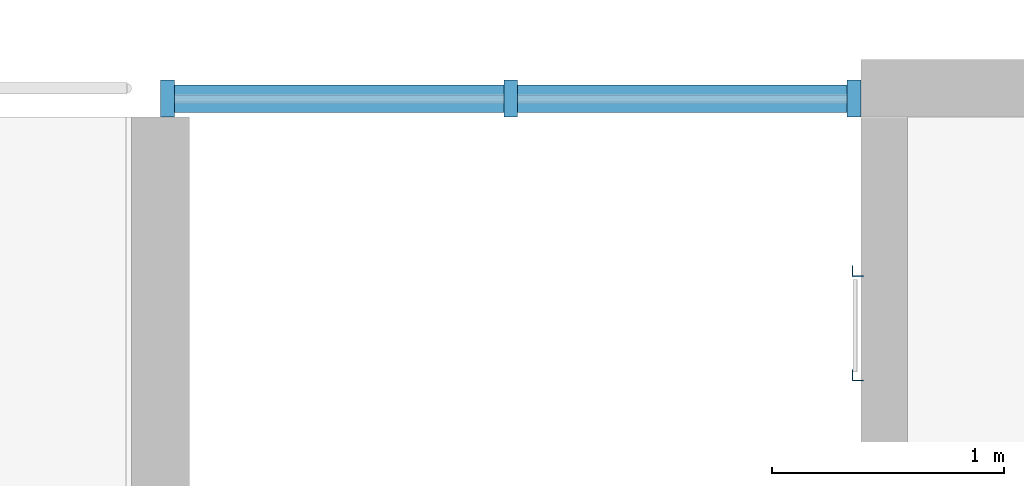
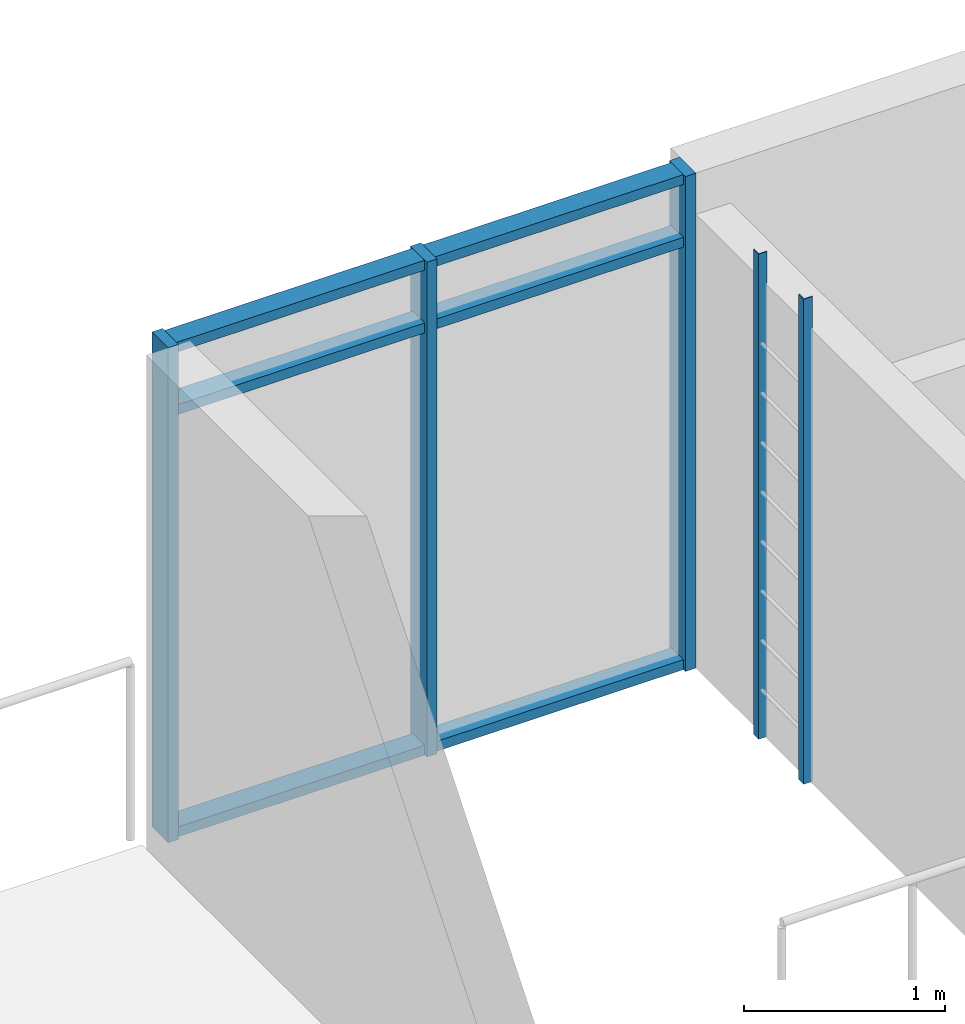
# One storey, part 11 of 94: 11 members, 1 element without a shape of its own.
"""IFC4 building model written with IfcOpenShell, lengths in metres."""

from ifc_helpers import new_model, si_unit, direction, frame, origin, origin_2d, place, context, subcontext, project, spatial, polyline, rectangle, outline, extrude, material, material_profile, profile_set, type_object, element, aggregate, save


model = new_model("IFC4")

# Units and contexts
model_context = context("Model", 3, precision=1e-05, world=origin(), true_north=direction((0.0, 1.0)))
body_context = subcontext(model_context, "Body", "Model", "MODEL_VIEW")
ifc_project = project(units=[si_unit("LENGTHUNIT", "METRE"), si_unit("AREAUNIT", "SQUARE_METRE"), si_unit("VOLUMEUNIT", "CUBIC_METRE"), si_unit("PLANEANGLEUNIT", "RADIAN"), si_unit("MASSUNIT", "GRAM", prefix="KILO")], contexts=[model_context])

# Site, building, storey
site_placement = place(None, origin())
site = spatial("IfcSite", under=ifc_project, at=site_placement, CompositionType="ELEMENT")
building_placement = place(site_placement, origin())
building = spatial("IfcBuilding", under=site, at=building_placement, Name="Ridgestep Commons", CompositionType="ELEMENT")
storey_placement = place(building_placement, frame((0.0, 0.0, 24.0)))
storey = spatial("IfcBuildingStorey", under=building, at=storey_placement, Name="L08", CompositionType="ELEMENT", Elevation=24.0)

# Members
ifc_material_1 = material(Name="Structural steel S355JR", Category="steel")
ifc_material_profile_1 = material_profile(ifc_material_1, outline(polyline([(-0.014404296875, -0.014404296875), (0.03564453125, -0.014404296875), (0.03564453125, -0.00927734375), (-0.00927734375, -0.00927734375), (-0.00927734375, 0.03564453125), (-0.014404296875, 0.03564453125), (-0.014404296875, -0.014404296875)])), Name="EA 50x50x5")
ifc_profile_set_1 = profile_set([ifc_material_profile_1], Name="Structural steel S355JR")
member_type_1 = type_object("IfcMemberType", Name="Core ladder stile EA 50x50x5", PredefinedType="STRINGER", material=ifc_profile_set_1)
for number, where, z_axis, x_axis, name in (
    (1, (25.800048828125, 75.875, 0.0), (0.0, 0.0, 1.0), (1.0, 0.0, 0.0), "Ladder stile B1C.1"),
    (2, (25.800048828125, 76.324951171875, 0.0), (0.0, 0.0, 1.0), (1.0, 0.0, 0.0), "Ladder stile B1C.2"),
):
    element("IfcMember", number, at=place(storey_placement, frame(where, z_axis=z_axis, x_axis=x_axis)), inside=storey, type_object=member_type_1, Name=name, PredefinedType="STRINGER", context=body_context, shape_type="SweptSolid", body=[
        extrude(outline(polyline([(-0.014404296875, -0.014404296875), (0.03564453125, -0.014404296875), (0.03564453125, -0.00927734375), (-0.00927734375, -0.00927734375), (-0.00927734375, 0.03564453125), (-0.014404296875, 0.03564453125), (-0.014404296875, -0.014404296875)])), origin(), (0.0, 0.0, 1.0), 2.93994140625),
    ])

# Curtain wall, members
ifc_material_2 = material(Name="Aluminium 6063-T6 and glass", Category="aluminium")
curtain_wall_type = type_object("IfcCurtainWallType", Name="Curtain wall stair strip", PredefinedType="NOTDEFINED", material=ifc_material_2)
curtain_wall_placement = place(storey_placement, origin())
curtain_wall = element("IfcCurtainWall", 3, at=curtain_wall_placement, inside=storey, type_object=curtain_wall_type, Name="Curtain wall B1C level 08", PredefinedType="NOTDEFINED")
ifc_material_3 = material(Name="Aluminium 6063-T6", Category="aluminium")
ifc_material_profile_2 = material_profile(ifc_material_3, rectangle(XDim=0.159912109375, YDim=0.06005859375, at=origin_2d()), Name="Mullion 60 x 160")
ifc_profile_set_2 = profile_set([ifc_material_profile_2], Name="Aluminium 6063-T6")
member_type_2 = type_object("IfcMemberType", Name="Mullion 60 x 160", PredefinedType="MULLION", material=ifc_profile_set_2)
member_1_placement = place(storey_placement, frame((22.830078125, 77.080078125, 0.0), z_axis=(0.0, 0.0, 1.0), x_axis=(0.0, 1.0, 0.0)))
member_1 = element("IfcMember", 4, at=member_1_placement, type_object=member_type_2, Name="CW1 mullion 1", PredefinedType="MULLION", context=body_context, shape_type="SweptSolid", body=[
    extrude(rectangle(XDim=0.159912109375, YDim=0.06005859375, at=origin_2d()), origin(), (0.0, 0.0, 1.0), 3.0),
])
member_2_placement = place(storey_placement, frame((24.3125, 77.080078125, 0.0), z_axis=(0.0, 0.0, 1.0), x_axis=(0.0, 1.0, 0.0)))
member_2 = element("IfcMember", 5, at=member_2_placement, type_object=member_type_2, Name="CW1 mullion 2", PredefinedType="MULLION", context=body_context, shape_type="SweptSolid", body=[
    extrude(rectangle(XDim=0.159912109375, YDim=0.06005859375, at=origin_2d()), origin(), (0.0, 0.0, 1.0), 3.0),
])
member_3_placement = place(storey_placement, frame((25.794921875, 77.080078125, 0.0), z_axis=(0.0, 0.0, 1.0), x_axis=(0.0, 1.0, 0.0)))
member_3 = element("IfcMember", 6, at=member_3_placement, type_object=member_type_2, Name="CW1 mullion 3", PredefinedType="MULLION", context=body_context, shape_type="SweptSolid", body=[
    extrude(rectangle(XDim=0.159912109375, YDim=0.06005859375, at=origin_2d()), origin(), (0.0, 0.0, 1.0), 3.0),
])
ifc_material_4 = material(Name="Aluminium 6063-T6", Category="aluminium")
ifc_material_profile_3 = material_profile(ifc_material_4, rectangle(XDim=0.1201171875, YDim=0.06005859375, at=origin_2d()), Name="Transom 60 x 120")
ifc_profile_set_3 = profile_set([ifc_material_profile_3], Name="Aluminium 6063-T6")
member_type_3 = type_object("IfcMemberType", Name="Transom 60 x 120", PredefinedType="USERDEFINED", material=ifc_profile_set_3)
member_4_placement = place(storey_placement, frame((22.860107421875, 77.080078125, 0.030029296875), z_axis=(1.0, 0.0, 0.0), x_axis=(0.0, 1.0, 0.0)))
member_4 = element("IfcMember", 7, at=member_4_placement, type_object=member_type_3, Name="CW1 transom 1.1", ObjectType="TRANSOM", PredefinedType="USERDEFINED", context=body_context, shape_type="SweptSolid", body=[
    extrude(rectangle(XDim=0.1201171875, YDim=0.06005859375, at=origin_2d()), origin(), (0.0, 0.0, 1.0), 1.42236328125),
])
member_5_placement = place(storey_placement, frame((22.860107421875, 77.080078125, 2.590087890625), z_axis=(1.0, 0.0, 0.0), x_axis=(0.0, 1.0, 0.0)))
member_5 = element("IfcMember", 8, at=member_5_placement, type_object=member_type_3, Name="CW1 transom 1.2", ObjectType="TRANSOM", PredefinedType="USERDEFINED", context=body_context, shape_type="SweptSolid", body=[
    extrude(rectangle(XDim=0.1201171875, YDim=0.06005859375, at=origin_2d()), origin(), (0.0, 0.0, 1.0), 1.42236328125),
])
member_6_placement = place(storey_placement, frame((22.860107421875, 77.080078125, 2.969970703125), z_axis=(1.0, 0.0, 0.0), x_axis=(0.0, 1.0, 0.0)))
member_6 = element("IfcMember", 9, at=member_6_placement, type_object=member_type_3, Name="CW1 transom 1.3", ObjectType="TRANSOM", PredefinedType="USERDEFINED", context=body_context, shape_type="SweptSolid", body=[
    extrude(rectangle(XDim=0.1201171875, YDim=0.06005859375, at=origin_2d()), origin(), (0.0, 0.0, 1.0), 1.42236328125),
])
member_7_placement = place(storey_placement, frame((24.342529296875, 77.080078125, 0.030029296875), z_axis=(1.0, 0.0, 0.0), x_axis=(0.0, 1.0, 0.0)))
member_7 = element("IfcMember", 10, at=member_7_placement, type_object=member_type_3, Name="CW1 transom 2.1", ObjectType="TRANSOM", PredefinedType="USERDEFINED", context=body_context, shape_type="SweptSolid", body=[
    extrude(rectangle(XDim=0.1201171875, YDim=0.06005859375, at=origin_2d()), origin(), (0.0, 0.0, 1.0), 1.42236328125),
])
member_8_placement = place(storey_placement, frame((24.342529296875, 77.080078125, 2.590087890625), z_axis=(1.0, 0.0, 0.0), x_axis=(0.0, 1.0, 0.0)))
member_8 = element("IfcMember", 11, at=member_8_placement, type_object=member_type_3, Name="CW1 transom 2.2", ObjectType="TRANSOM", PredefinedType="USERDEFINED", context=body_context, shape_type="SweptSolid", body=[
    extrude(rectangle(XDim=0.1201171875, YDim=0.06005859375, at=origin_2d()), origin(), (0.0, 0.0, 1.0), 1.42236328125),
])
member_9_placement = place(storey_placement, frame((24.342529296875, 77.080078125, 2.969970703125), z_axis=(1.0, 0.0, 0.0), x_axis=(0.0, 1.0, 0.0)))
member_9 = element("IfcMember", 12, at=member_9_placement, type_object=member_type_3, Name="CW1 transom 2.3", ObjectType="TRANSOM", PredefinedType="USERDEFINED", context=body_context, shape_type="SweptSolid", body=[
    extrude(rectangle(XDim=0.1201171875, YDim=0.06005859375, at=origin_2d()), origin(), (0.0, 0.0, 1.0), 1.42236328125),
])
aggregate(curtain_wall, [member_1, member_2, member_3, member_4, member_5, member_6, member_7, member_8, member_9])

save(model, "model.ifc")
